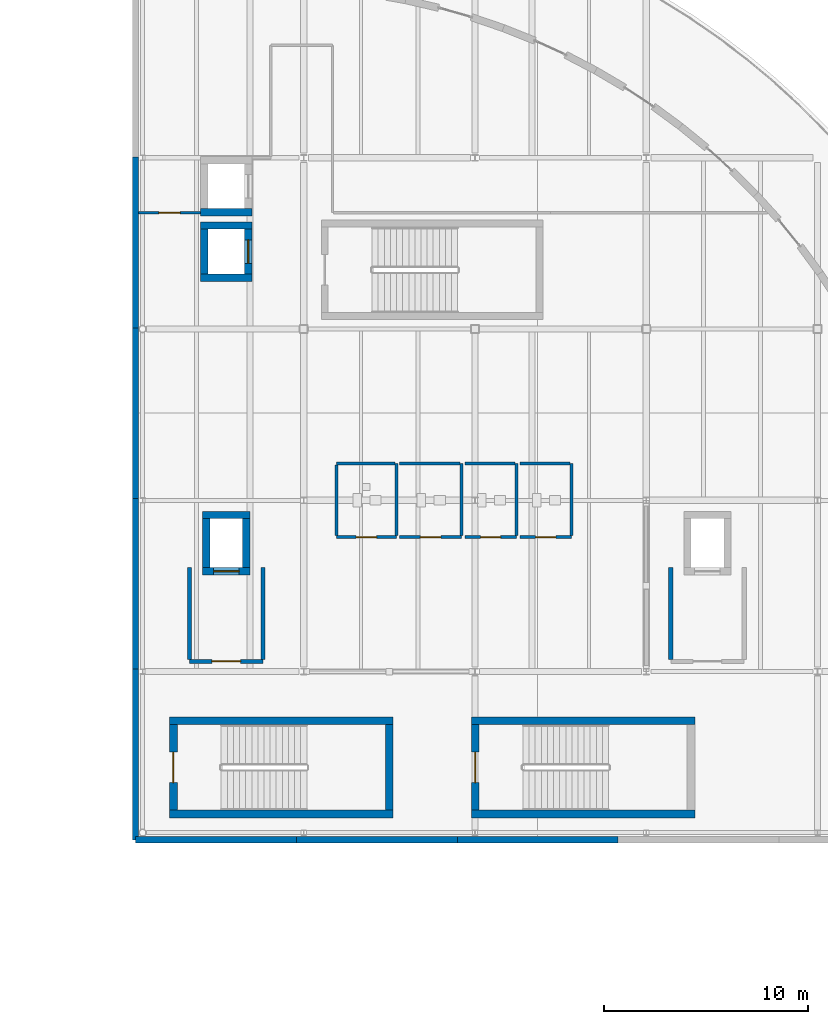
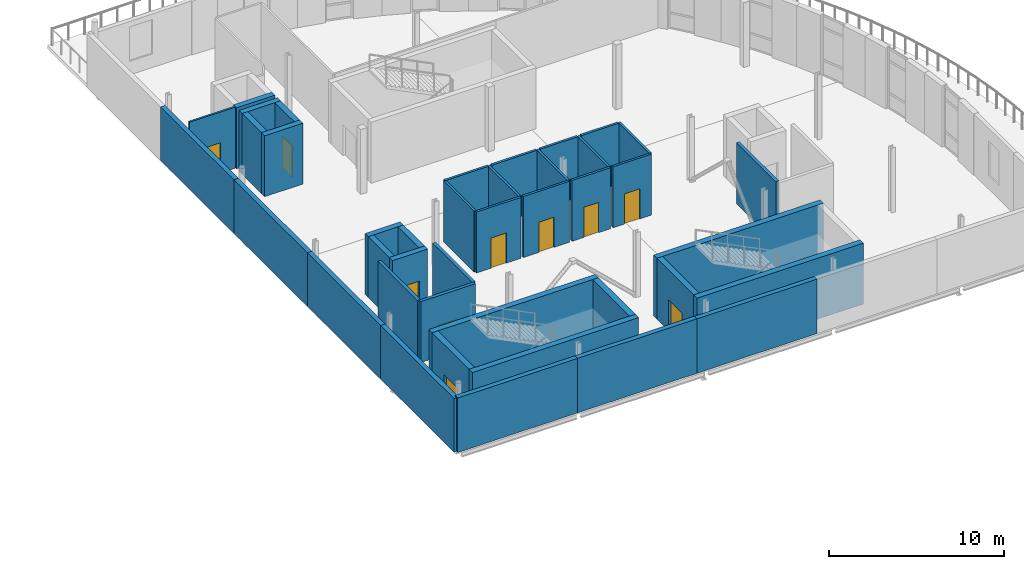
# One storey, part 22 of 40: 41 walls, 10 doors, 10 openings.
"""IFC4 building model written with IfcOpenShell, lengths in metres."""

from ifc_helpers import new_model, si_unit, direction, frame, frame_2d, origin, place, context, subcontext, project, spatial, rectangle, extrude, material, layer, layer_set, type_object, element, fill, save


model = new_model("IFC4")

# Units and contexts
model_context = context("Model", 3, precision=1e-05, world=origin(), true_north=direction((0.0, 1.0)))
body_context = subcontext(model_context, "Body", "Model", "MODEL_VIEW")
ifc_project = project(units=[si_unit("LENGTHUNIT", "METRE"), si_unit("AREAUNIT", "SQUARE_METRE"), si_unit("VOLUMEUNIT", "CUBIC_METRE"), si_unit("PLANEANGLEUNIT", "RADIAN"), si_unit("MASSUNIT", "GRAM", prefix="KILO"), si_unit("THERMODYNAMICTEMPERATUREUNIT", "KELVIN")], contexts=[model_context])

# Site, building, storey
site_placement = place(None, origin())
site = spatial("IfcSite", under=ifc_project, at=site_placement, CompositionType="ELEMENT")
building_placement = place(site_placement, origin())
building = spatial("IfcBuilding", under=site, at=building_placement, Name="Lustrewick Department Store", CompositionType="ELEMENT")
storey_placement = place(building_placement, frame((0.0, 0.0, 31.800048828125)))
storey = spatial("IfcBuildingStorey", under=building, at=storey_placement, Name="L07", CompositionType="ELEMENT", Elevation=31.800048828125)

# Walls
ifc_material_1 = material(Name="Precast concrete C40", Category="concrete")
ifc_layer_1 = layer(ifc_material_1, 0.300048828125, Name="Precast concrete C40")
ifc_layer_set_1 = layer_set([ifc_layer_1], Name="Precast concrete C40")
wall_type_1 = type_object("IfcWallType", Name="EW04", PredefinedType="STANDARD", material=ifc_layer_set_1)
for number, where, z_axis, x_axis, name in (
    (1, (109.35009765625, 50.550048828125, 0.0), (0.0, 0.0, 1.0), (1.0, 0.0, 0.0), "L07 V4 Exterior Wall EW04"),
    (2, (117.239990234375, 50.550048828125, 0.0), (0.0, 0.0, 1.0), (1.0, 0.0, 0.0), "L07 V4 Exterior Wall EW04"),
):
    element("IfcWall", number, at=place(storey_placement, frame(where, z_axis=z_axis, x_axis=x_axis)), inside=storey, type_object=wall_type_1, Name=name, PredefinedType="STANDARD", context=body_context, shape_type="SweptSolid", body=[
        extrude(rectangle(XDim=7.889892578125, YDim=0.300048828125, at=frame_2d((3.94482421875, 0.0))), origin(), (0.0, 0.0, 1.0), 3.796875),
    ])
wall_1_placement = place(storey_placement, frame((125.1298828125, 50.550048828125, 0.0), z_axis=(0.0, 0.0, 1.0), x_axis=(1.0, 0.0, 0.0)))
element("IfcWall", 3, at=wall_1_placement, inside=storey, type_object=wall_type_1, Name="L07 V4 Exterior Wall EW04", PredefinedType="STANDARD", context=body_context, shape_type="SweptSolid", body=[
    extrude(rectangle(XDim=7.89013671875, YDim=0.300048828125, at=frame_2d((3.945068359375, 0.0))), origin(), (0.0, 0.0, 1.0), 3.796875),
])
wall_2_placement = place(storey_placement, frame((109.35009765625, 84.030029296875, 0.0), z_axis=(0.0, 0.0, 1.0), x_axis=(0.0, -1.0, 0.0)))
element("IfcWall", 4, at=wall_2_placement, inside=storey, type_object=wall_type_1, Name="L07 V4 Exterior Wall EW04", PredefinedType="STANDARD", context=body_context, shape_type="SweptSolid", body=[
    extrude(rectangle(XDim=8.3701171875, YDim=0.300048828125, at=frame_2d((4.18505859375, 0.0))), origin(), (0.0, 0.0, 1.0), 3.73095703125),
])
wall_3_placement = place(storey_placement, frame((109.35009765625, 75.659912109375, 0.0), z_axis=(0.0, 0.0, 1.0), x_axis=(0.0, -1.0, 0.0)))
element("IfcWall", 5, at=wall_3_placement, inside=storey, type_object=wall_type_1, Name="L07 V4 Exterior Wall EW04", PredefinedType="STANDARD", context=body_context, shape_type="SweptSolid", body=[
    extrude(rectangle(XDim=8.369873046875, YDim=0.300048828125, at=frame_2d((4.18505859375, 0.0))), origin(), (0.0, 0.0, 1.0), 3.73095703125),
])
wall_4_placement = place(storey_placement, frame((109.35009765625, 67.2900390625, 0.0), z_axis=(0.0, 0.0, 1.0), x_axis=(0.0, -1.0, 0.0)))
element("IfcWall", 6, at=wall_4_placement, inside=storey, type_object=wall_type_1, Name="L07 V4 Exterior Wall EW04", PredefinedType="STANDARD", context=body_context, shape_type="SweptSolid", body=[
    extrude(rectangle(XDim=8.3701171875, YDim=0.300048828125, at=frame_2d((4.18505859375, 0.0))), origin(), (0.0, 0.0, 1.0), 3.73095703125),
])
wall_5_placement = place(storey_placement, frame((109.35009765625, 58.919921875, 0.0), z_axis=(0.0, 0.0, 1.0), x_axis=(0.0, -1.0, 0.0)))
element("IfcWall", 7, at=wall_5_placement, inside=storey, type_object=wall_type_1, Name="L07 V4 Exterior Wall EW04", PredefinedType="STANDARD", context=body_context, shape_type="SweptSolid", body=[
    extrude(rectangle(XDim=8.369873046875, YDim=0.300048828125, at=frame_2d((4.18505859375, 0.0))), origin(), (0.0, 0.0, 1.0), 3.73095703125),
])
ifc_material_2 = material(Name="Autoclaved aerated concrete blockwork and fire board", Category="masonry")
ifc_layer_2 = layer(ifc_material_2, 0.205078125, Name="Autoclaved aerated concrete blockwork and fire board")
ifc_layer_set_2 = layer_set([ifc_layer_2], Name="Autoclaved aerated concrete blockwork and fire board")
wall_type_2 = type_object("IfcWallType", Name="PW02", PredefinedType="PARTITIONING", material=ifc_layer_set_2)
wall_6_placement = place(storey_placement, frame((135.60009765625, 63.89990234375, 0.0), z_axis=(0.0, 0.0, 1.0), x_axis=(0.0, -1.0, 0.0)))
element("IfcWall", 8, at=wall_6_placement, inside=storey, type_object=wall_type_2, Name="L07 Firefighting Lift Lobby FFL-03 PW02", PredefinedType="PARTITIONING", context=body_context, shape_type="SweptSolid", body=[
    extrude(rectangle(XDim=4.50244140625, YDim=0.205078125, at=frame_2d((2.251220703125, 0.0))), origin(), (0.0, 0.0, 1.0), 4.244873046875),
])

# Wall, opening, door
wall_7_placement = place(storey_placement, frame((112.0, 59.300048828125, 0.0), z_axis=(0.0, 0.0, 1.0), x_axis=(1.0, 0.0, 0.0)))
wall_7 = element("IfcWall", 9, at=wall_7_placement, inside=storey, type_object=wall_type_2, Name="L07 Firefighting Lift Lobby FFL-04 PW02", PredefinedType="PARTITIONING", context=body_context, shape_type="SweptSolid", body=[
    extrude(rectangle(XDim=3.60009765625, YDim=0.205078125, at=frame_2d((1.800048828125, 0.0))), origin(), (0.0, 0.0, 1.0), 4.244873046875),
])
opening_1_placement = place(wall_7_placement, frame((1.10009765625, 0.0, 0.0)))
opening_1 = element("IfcOpeningElement", 10, at=opening_1_placement, cuts=wall_7, Name="Opening D-L07-042", PredefinedType="OPENING", context=body_context, shape_type="SweptSolid", body=[
    extrude(rectangle(XDim=1.39990234375, YDim=2.14990234375, at=frame_2d((0.699951171875, 1.074951171875))), frame((0.0, 0.112548828125, 0.0), z_axis=(0.0, -1.0, 0.0), x_axis=(1.0, 0.0, 0.0)), (0.0, 0.0, 1.0), 0.22509765625),
])
ifc_material_3 = material(Name="Steel fire door Class B EI 60", Category="steel")
door_type_1 = type_object("IfcDoorType", Name="DT-08", OperationType="NOTDEFINED", PredefinedType="DOOR", material=ifc_material_3)
door_1_placement = place(opening_1_placement, origin())
door_1 = element("IfcDoor", 11, at=door_1_placement, inside=storey, type_object=door_type_1, Name="L07 Firefighting Lift Lobby FFL-04 Door D-L07-042", OperationType="SINGLE_SWING_LEFT", OverallHeight=2.14990234375, OverallWidth=1.39990234375, PredefinedType="DOOR", context=body_context, shape_type="SweptSolid", body=[
    extrude(rectangle(XDim=1.39990234375, YDim=2.14990234375, at=frame_2d((0.699951171875, 1.074951171875))), frame((0.0, 0.02490234375, 0.0), z_axis=(0.0, -1.0, 0.0), x_axis=(1.0, 0.0, 0.0)), (0.0, 0.0, 1.0), 0.050048828125),
])
fill(opening_1, door_1)

# Walls
for number, where, z_axis, x_axis, name in (
    (12, (115.60009765625, 59.3974609375, 0.0), (0.0, 0.0, 1.0), (0.0, 1.0, 0.0), "L07 Firefighting Lift Lobby FFL-04 PW02"),
    (13, (112.0, 63.89990234375, 0.0), (0.0, 0.0, 1.0), (0.0, -1.0, 0.0), "L07 Firefighting Lift Lobby FFL-04 PW02"),
):
    element("IfcWall", number, at=place(storey_placement, frame(where, z_axis=z_axis, x_axis=x_axis)), inside=storey, type_object=wall_type_2, Name=name, PredefinedType="PARTITIONING", context=body_context, shape_type="SweptSolid", body=[
        extrude(rectangle(XDim=4.50244140625, YDim=0.205078125, at=frame_2d((2.251220703125, 0.0))), origin(), (0.0, 0.0, 1.0), 4.244873046875),
    ])

# Wall, opening, door
ifc_material_4 = material(Name="Moisture-resistant cement board sanitary partition", Category="gypsum")
ifc_layer_3 = layer(ifc_material_4, 0.14990234375, Name="Moisture-resistant cement board sanitary partition")
ifc_layer_set_3 = layer_set([ifc_layer_3], Name="Moisture-resistant cement board sanitary partition")
wall_type_3 = type_object("IfcWallType", Name="PW05", PredefinedType="PARTITIONING", material=ifc_layer_set_3)
wall_8_placement = place(storey_placement, frame((119.199951171875, 65.39990234375, 0.0), z_axis=(0.0, 0.0, 1.0), x_axis=(1.0, 0.0, 0.0)))
wall_8 = element("IfcWall", 14, at=wall_8_placement, inside=storey, type_object=wall_type_3, Name="L07 Male Public WC PW05", PredefinedType="PARTITIONING", context=body_context, shape_type="SweptSolid", body=[
    extrude(rectangle(XDim=2.93994140625, YDim=0.14990234375, at=frame_2d((1.469970703125, 0.0))), origin(), (0.0, 0.0, 1.0), 4.244873046875),
])
opening_2_placement = place(wall_8_placement, frame((0.969970703125, 0.0, 0.0)))
opening_2 = element("IfcOpeningElement", 15, at=opening_2_placement, cuts=wall_8, Name="Opening D-L07-043", PredefinedType="OPENING", context=body_context, shape_type="SweptSolid", body=[
    extrude(rectangle(XDim=1.0, YDim=2.10009765625, at=frame_2d((0.5, 1.050048828125))), frame((0.0, 0.0849609375, 0.0), z_axis=(0.0, -1.0, 0.0), x_axis=(1.0, 0.0, 0.0)), (0.0, 0.0, 1.0), 0.169921875),
])
ifc_material_5 = material(Name="Moisture-resistant laminate sanitary door", Category="steel")
door_type_2 = type_object("IfcDoorType", Name="DT-11", OperationType="NOTDEFINED", PredefinedType="DOOR", material=ifc_material_5)
door_2_placement = place(opening_2_placement, origin())
door_2 = element("IfcDoor", 16, at=door_2_placement, inside=storey, type_object=door_type_2, Name="L07 Male Public WC Door D-L07-043", OperationType="SINGLE_SWING_RIGHT", OverallHeight=2.10009765625, OverallWidth=1.0, PredefinedType="DOOR", context=body_context, shape_type="SweptSolid", body=[
    extrude(rectangle(XDim=1.0, YDim=2.10009765625, at=frame_2d((0.5, 1.050048828125))), frame((0.0, 0.02490234375, 0.0), z_axis=(0.0, -1.0, 0.0), x_axis=(1.0, 0.0, 0.0)), (0.0, 0.0, 1.0), 0.050048828125),
])
fill(opening_2, door_2)

# Walls
wall_9_placement = place(storey_placement, frame((122.139892578125, 65.469970703125, 0.0), z_axis=(0.0, 0.0, 1.0), x_axis=(0.0, 1.0, 0.0)))
element("IfcWall", 17, at=wall_9_placement, inside=storey, type_object=wall_type_3, Name="L07 Male Public WC PW05", PredefinedType="PARTITIONING", context=body_context, shape_type="SweptSolid", body=[
    extrude(rectangle(XDim=3.530029296875, YDim=0.14990234375, at=frame_2d((1.76513671875, 0.0))), origin(), (0.0, 0.0, 1.0), 4.244873046875),
])
wall_10_placement = place(storey_placement, frame((122.070068359375, 69.0, 0.0), z_axis=(0.0, 0.0, 1.0), x_axis=(-1.0, 0.0, 0.0)))
element("IfcWall", 18, at=wall_10_placement, inside=storey, type_object=wall_type_3, Name="L07 Male Public WC PW05", PredefinedType="PARTITIONING", context=body_context, shape_type="SweptSolid", body=[
    extrude(rectangle(XDim=2.8701171875, YDim=0.14990234375, at=frame_2d((1.43505859375, 0.0))), origin(), (0.0, 0.0, 1.0), 4.244873046875),
])
wall_11_placement = place(storey_placement, frame((119.199951171875, 68.929931640625, 0.0), z_axis=(0.0, 0.0, 1.0), x_axis=(0.0, -1.0, 0.0)))
element("IfcWall", 19, at=wall_11_placement, inside=storey, type_object=wall_type_3, Name="L07 Male Public WC PW05", PredefinedType="PARTITIONING", context=body_context, shape_type="SweptSolid", body=[
    extrude(rectangle(XDim=3.4599609375, YDim=0.14990234375, at=frame_2d((1.72998046875, 0.0))), origin(), (0.0, 0.0, 1.0), 4.244873046875),
])

# Wall, opening, door
wall_12_placement = place(storey_placement, frame((122.300048828125, 65.39990234375, 0.0), z_axis=(0.0, 0.0, 1.0), x_axis=(1.0, 0.0, 0.0)))
wall_12 = element("IfcWall", 20, at=wall_12_placement, inside=storey, type_object=wall_type_3, Name="L07 Female Public WC PW05", PredefinedType="PARTITIONING", context=body_context, shape_type="SweptSolid", body=[
    extrude(rectangle(XDim=3.0400390625, YDim=0.14990234375, at=frame_2d((1.52001953125, 0.0))), origin(), (0.0, 0.0, 1.0), 4.244873046875),
])
opening_3_placement = place(wall_12_placement, frame((1.02001953125, 0.0, 0.0)))
opening_3 = element("IfcOpeningElement", 21, at=opening_3_placement, cuts=wall_12, Name="Opening D-L07-044", PredefinedType="OPENING", context=body_context, shape_type="SweptSolid", body=[
    extrude(rectangle(XDim=1.0, YDim=2.10009765625, at=frame_2d((0.5, 1.050048828125))), frame((0.0, 0.0849609375, 0.0), z_axis=(0.0, -1.0, 0.0), x_axis=(1.0, 0.0, 0.0)), (0.0, 0.0, 1.0), 0.169921875),
])
door_3_placement = place(opening_3_placement, origin())
door_3 = element("IfcDoor", 22, at=door_3_placement, inside=storey, type_object=door_type_2, Name="L07 Female Public WC Door D-L07-044", OperationType="SINGLE_SWING_LEFT", OverallHeight=2.10009765625, OverallWidth=1.0, PredefinedType="DOOR", context=body_context, shape_type="SweptSolid", body=[
    extrude(rectangle(XDim=1.0, YDim=2.10009765625, at=frame_2d((0.5, 1.050048828125))), frame((0.0, 0.02490234375, 0.0), z_axis=(0.0, -1.0, 0.0), x_axis=(1.0, 0.0, 0.0)), (0.0, 0.0, 1.0), 0.050048828125),
])
fill(opening_3, door_3)

# Walls
wall_13_placement = place(storey_placement, frame((125.340087890625, 65.469970703125, 0.0), z_axis=(0.0, 0.0, 1.0), x_axis=(0.0, 1.0, 0.0)))
element("IfcWall", 23, at=wall_13_placement, inside=storey, type_object=wall_type_3, Name="L07 Female Public WC PW05", PredefinedType="PARTITIONING", context=body_context, shape_type="SweptSolid", body=[
    extrude(rectangle(XDim=3.530029296875, YDim=0.14990234375, at=frame_2d((1.76513671875, 0.0))), origin(), (0.0, 0.0, 1.0), 4.244873046875),
])
wall_14_placement = place(storey_placement, frame((125.27001953125, 69.0, 0.0), z_axis=(0.0, 0.0, 1.0), x_axis=(-1.0, 0.0, 0.0)))
element("IfcWall", 24, at=wall_14_placement, inside=storey, type_object=wall_type_3, Name="L07 Female Public WC PW05", PredefinedType="PARTITIONING", context=body_context, shape_type="SweptSolid", body=[
    extrude(rectangle(XDim=2.969970703125, YDim=0.14990234375, at=frame_2d((1.48486328125, 0.0))), origin(), (0.0, 0.0, 1.0), 4.244873046875),
])

# Wall, opening, door
wall_15_placement = place(storey_placement, frame((125.5, 65.39990234375, 0.0), z_axis=(0.0, 0.0, 1.0), x_axis=(1.0, 0.0, 0.0)))
wall_15 = element("IfcWall", 25, at=wall_15_placement, inside=storey, type_object=wall_type_3, Name="L07 Accessible WC PW05", PredefinedType="PARTITIONING", context=body_context, shape_type="SweptSolid", body=[
    extrude(rectangle(XDim=2.5400390625, YDim=0.14990234375, at=frame_2d((1.27001953125, 0.0))), origin(), (0.0, 0.0, 1.0), 4.244873046875),
])
opening_4_placement = place(wall_15_placement, frame((0.780029296875, 0.0, 0.0)))
opening_4 = element("IfcOpeningElement", 26, at=opening_4_placement, cuts=wall_15, Name="Opening D-L07-045", PredefinedType="OPENING", context=body_context, shape_type="SweptSolid", body=[
    extrude(rectangle(XDim=0.97998046875, YDim=2.10009765625, at=frame_2d((0.489990234375, 1.050048828125))), frame((0.0, 0.0849609375, 0.0), z_axis=(0.0, -1.0, 0.0), x_axis=(1.0, 0.0, 0.0)), (0.0, 0.0, 1.0), 0.169921875),
])
ifc_material_6 = material(Name="Barrier-free accessible sanitary door", Category="steel")
door_type_3 = type_object("IfcDoorType", Name="DT-12", OperationType="NOTDEFINED", PredefinedType="DOOR", material=ifc_material_6)
door_4_placement = place(opening_4_placement, origin())
door_4 = element("IfcDoor", 27, at=door_4_placement, inside=storey, type_object=door_type_3, Name="L07 Accessible WC Door D-L07-045", OperationType="SINGLE_SWING_RIGHT", OverallHeight=2.10009765625, OverallWidth=0.97998046875, PredefinedType="DOOR", context=body_context, shape_type="SweptSolid", body=[
    extrude(rectangle(XDim=0.97998046875, YDim=2.10009765625, at=frame_2d((0.489990234375, 1.050048828125))), frame((0.0, 0.02490234375, 0.0), z_axis=(0.0, -1.0, 0.0), x_axis=(1.0, 0.0, 0.0)), (0.0, 0.0, 1.0), 0.050048828125),
])
fill(opening_4, door_4)

# Walls
wall_16_placement = place(storey_placement, frame((128.0400390625, 65.469970703125, 0.0), z_axis=(0.0, 0.0, 1.0), x_axis=(0.0, 1.0, 0.0)))
element("IfcWall", 28, at=wall_16_placement, inside=storey, type_object=wall_type_3, Name="L07 Accessible WC PW05", PredefinedType="PARTITIONING", context=body_context, shape_type="SweptSolid", body=[
    extrude(rectangle(XDim=3.530029296875, YDim=0.14990234375, at=frame_2d((1.76513671875, 0.0))), origin(), (0.0, 0.0, 1.0), 4.244873046875),
])
wall_17_placement = place(storey_placement, frame((127.969970703125, 69.0, 0.0), z_axis=(0.0, 0.0, 1.0), x_axis=(-1.0, 0.0, 0.0)))
element("IfcWall", 29, at=wall_17_placement, inside=storey, type_object=wall_type_3, Name="L07 Accessible WC PW05", PredefinedType="PARTITIONING", context=body_context, shape_type="SweptSolid", body=[
    extrude(rectangle(XDim=2.469970703125, YDim=0.14990234375, at=frame_2d((1.23486328125, 0.0))), origin(), (0.0, 0.0, 1.0), 4.244873046875),
])

# Wall, opening, door
wall_18_placement = place(storey_placement, frame((128.199951171875, 65.39990234375, 0.0), z_axis=(0.0, 0.0, 1.0), x_axis=(1.0, 0.0, 0.0)))
wall_18 = element("IfcWall", 30, at=wall_18_placement, inside=storey, type_object=wall_type_3, Name="L07 Staff WC PW05", PredefinedType="PARTITIONING", context=body_context, shape_type="SweptSolid", body=[
    extrude(rectangle(XDim=2.5400390625, YDim=0.14990234375, at=frame_2d((1.27001953125, 0.0))), origin(), (0.0, 0.0, 1.0), 4.244873046875),
])
opening_5_placement = place(wall_18_placement, frame((0.77001953125, 0.0, 0.0)))
opening_5 = element("IfcOpeningElement", 31, at=opening_5_placement, cuts=wall_18, Name="Opening D-L07-046", PredefinedType="OPENING", context=body_context, shape_type="SweptSolid", body=[
    extrude(rectangle(XDim=1.0, YDim=2.10009765625, at=frame_2d((0.5, 1.050048828125))), frame((0.0, 0.0849609375, 0.0), z_axis=(0.0, -1.0, 0.0), x_axis=(1.0, 0.0, 0.0)), (0.0, 0.0, 1.0), 0.169921875),
])
door_5_placement = place(opening_5_placement, origin())
door_5 = element("IfcDoor", 32, at=door_5_placement, inside=storey, type_object=door_type_2, Name="L07 Staff WC Door D-L07-046", OperationType="SINGLE_SWING_LEFT", OverallHeight=2.10009765625, OverallWidth=1.0, PredefinedType="DOOR", context=body_context, shape_type="SweptSolid", body=[
    extrude(rectangle(XDim=1.0, YDim=2.10009765625, at=frame_2d((0.5, 1.050048828125))), frame((0.0, 0.02490234375, 0.0), z_axis=(0.0, -1.0, 0.0), x_axis=(1.0, 0.0, 0.0)), (0.0, 0.0, 1.0), 0.050048828125),
])
fill(opening_5, door_5)

# Walls
wall_19_placement = place(storey_placement, frame((130.739990234375, 65.469970703125, 0.0), z_axis=(0.0, 0.0, 1.0), x_axis=(0.0, 1.0, 0.0)))
element("IfcWall", 33, at=wall_19_placement, inside=storey, type_object=wall_type_3, Name="L07 Staff WC PW05", PredefinedType="PARTITIONING", context=body_context, shape_type="SweptSolid", body=[
    extrude(rectangle(XDim=3.530029296875, YDim=0.14990234375, at=frame_2d((1.76513671875, 0.0))), origin(), (0.0, 0.0, 1.0), 4.244873046875),
])
wall_20_placement = place(storey_placement, frame((130.669921875, 69.0, 0.0), z_axis=(0.0, 0.0, 1.0), x_axis=(-1.0, 0.0, 0.0)))
element("IfcWall", 34, at=wall_20_placement, inside=storey, type_object=wall_type_3, Name="L07 Staff WC PW05", PredefinedType="PARTITIONING", context=body_context, shape_type="SweptSolid", body=[
    extrude(rectangle(XDim=2.469970703125, YDim=0.14990234375, at=frame_2d((1.23486328125, 0.0))), origin(), (0.0, 0.0, 1.0), 4.244873046875),
])

# Wall, opening, door
ifc_material_7 = material(Name="Acoustic gypsum stud office partition", Category="gypsum")
ifc_layer_4 = layer(ifc_material_7, 0.1201171875, Name="Acoustic gypsum stud office partition")
ifc_layer_set_4 = layer_set([ifc_layer_4], Name="Acoustic gypsum stud office partition")
wall_type_4 = type_object("IfcWallType", Name="PW07", PredefinedType="PARTITIONING", material=ifc_layer_set_4)
wall_21_placement = place(storey_placement, frame((109.4951171875, 81.305419921875, 0.0), z_axis=(0.0, 0.0, 1.0), x_axis=(1.0, 0.0, 0.0)))
wall_21 = element("IfcWall", 35, at=wall_21_placement, inside=storey, type_object=wall_type_4, Name="L07 Store Administration Office PW07", PredefinedType="PARTITIONING", context=body_context, shape_type="SweptSolid", body=[
    extrude(rectangle(XDim=3.044921875, YDim=0.1201171875, at=frame_2d((1.5224609375, 0.0))), origin(), (0.0, 0.0, 1.0), 4.244873046875),
])
opening_6_placement = place(wall_21_placement, frame((0.99755859375, 0.0, 0.0)))
opening_6 = element("IfcOpeningElement", 36, at=opening_6_placement, cuts=wall_21, Name="Opening D-L07-047", PredefinedType="OPENING", context=body_context, shape_type="SweptSolid", body=[
    extrude(rectangle(XDim=1.050048828125, YDim=2.10009765625, at=frame_2d((0.52490234375, 1.050048828125))), frame((0.0, 0.070068359375, 0.0), z_axis=(0.0, -1.0, 0.0), x_axis=(1.0, 0.0, 0.0)), (0.0, 0.0, 1.0), 0.14013671875),
])
ifc_material_8 = material(Name="Acoustic oak veneer office door", Category="wood")
door_type_4 = type_object("IfcDoorType", Name="DT-10", OperationType="NOTDEFINED", PredefinedType="DOOR", material=ifc_material_8)
door_6_placement = place(opening_6_placement, origin())
door_6 = element("IfcDoor", 37, at=door_6_placement, inside=storey, type_object=door_type_4, Name="L07 Store Administration Office Door D-L07-047", OperationType="SINGLE_SWING_RIGHT", OverallHeight=2.10009765625, OverallWidth=1.050048828125, PredefinedType="DOOR", context=body_context, shape_type="SweptSolid", body=[
    extrude(rectangle(XDim=1.050048828125, YDim=2.10009765625, at=frame_2d((0.52490234375, 1.050048828125))), frame((0.0, 0.02490234375, 0.0), z_axis=(0.0, -1.0, 0.0), x_axis=(1.0, 0.0, 0.0)), (0.0, 0.0, 1.0), 0.050048828125),
])
fill(opening_6, door_6)

# Walls
ifc_material_9 = material(Name="Concrete C40", Category="concrete")
ifc_layer_5 = layer(ifc_material_9, 0.3798828125, Name="Concrete C40")
ifc_layer_set_5 = layer_set([ifc_layer_5], Name="Concrete C40")
wall_type_5 = type_object("IfcWallType", Name="SW03", PredefinedType="SHEAR", material=ifc_layer_set_5)
wall_22_placement = place(storey_placement, frame((111.02001953125, 51.81005859375, 0.0), z_axis=(0.0, 0.0, 1.0), x_axis=(1.0, 0.0, 0.0)))
element("IfcWall", 38, at=wall_22_placement, inside=storey, type_object=wall_type_5, Name="L07 Stair Core ST09 Shear Wall S", PredefinedType="SHEAR", context=body_context, shape_type="SweptSolid", body=[
    extrude(rectangle(XDim=10.9599609375, YDim=0.3798828125, at=frame_2d((5.47998046875, 0.0))), origin(), (0.0, 0.0, 1.0), 4.244873046875),
])
wall_23_placement = place(storey_placement, frame((121.7900390625, 52.0, 0.0), z_axis=(0.0, 0.0, 1.0), x_axis=(0.0, 1.0, 0.0)))
element("IfcWall", 39, at=wall_23_placement, inside=storey, type_object=wall_type_5, Name="L07 Stair Core ST09 Shear Wall E", PredefinedType="SHEAR", context=body_context, shape_type="SweptSolid", body=[
    extrude(rectangle(XDim=4.199951171875, YDim=0.3798828125, at=frame_2d((2.10009765625, 0.0))), origin(), (0.0, 0.0, 1.0), 4.244873046875),
])
wall_24_placement = place(storey_placement, frame((121.97998046875, 56.389892578125, 0.0), z_axis=(0.0, 0.0, 1.0), x_axis=(-1.0, 0.0, 0.0)))
element("IfcWall", 40, at=wall_24_placement, inside=storey, type_object=wall_type_5, Name="L07 Stair Core ST09 Shear Wall N", PredefinedType="SHEAR", context=body_context, shape_type="SweptSolid", body=[
    extrude(rectangle(XDim=10.9599609375, YDim=0.3798828125, at=frame_2d((5.47998046875, 0.0))), origin(), (0.0, 0.0, 1.0), 4.244873046875),
])

# Wall, opening, door
wall_25_placement = place(storey_placement, frame((111.2099609375, 56.199951171875, 0.0), z_axis=(0.0, 0.0, 1.0), x_axis=(0.0, -1.0, 0.0)))
wall_25 = element("IfcWall", 41, at=wall_25_placement, inside=storey, type_object=wall_type_5, Name="L07 Stair Core ST09 Shear Wall W", PredefinedType="SHEAR", context=body_context, shape_type="SweptSolid", body=[
    extrude(rectangle(XDim=4.199951171875, YDim=0.3798828125, at=frame_2d((2.10009765625, 0.0))), origin(), (0.0, 0.0, 1.0), 4.244873046875),
])
opening_7_placement = place(wall_25_placement, frame((1.35009765625, 0.0, 0.0)))
opening_7 = element("IfcOpeningElement", 42, at=opening_7_placement, cuts=wall_25, Name="Opening D-L07-003", PredefinedType="OPENING", context=body_context, shape_type="SweptSolid", body=[
    extrude(rectangle(XDim=1.5, YDim=2.14990234375, at=frame_2d((0.75, 1.074951171875))), frame((0.0, 0.199951171875, 0.0), z_axis=(0.0, -1.0, 0.0), x_axis=(1.0, 0.0, 0.0)), (0.0, 0.0, 1.0), 0.39990234375),
])
door_type_5 = type_object("IfcDoorType", Name="DT-07", OperationType="NOTDEFINED", PredefinedType="DOOR", material=ifc_material_3)
door_7_placement = place(opening_7_placement, origin())
door_7 = element("IfcDoor", 43, at=door_7_placement, inside=storey, type_object=door_type_5, Name="L07 Smoke-Proof Stair ST09 Fire Door", OperationType="SINGLE_SWING_LEFT", OverallHeight=2.14990234375, OverallWidth=1.5, PredefinedType="DOOR", context=body_context, shape_type="SweptSolid", body=[
    extrude(rectangle(XDim=1.5, YDim=2.14990234375, at=frame_2d((0.75, 1.074951171875))), frame((0.0, 0.02490234375, 0.0), z_axis=(0.0, -1.0, 0.0), x_axis=(1.0, 0.0, 0.0)), (0.0, 0.0, 1.0), 0.050048828125),
])
fill(opening_7, door_7)

# Walls
for number, where, z_axis, x_axis, name in (
    (44, (125.820068359375, 51.81005859375, 0.0), (0.0, 0.0, 1.0), (1.0, 0.0, 0.0), "L07 Stair Core ST11 Shear Wall S"),
    (45, (136.780029296875, 56.389892578125, 0.0), (0.0, 0.0, 1.0), (-1.0, 0.0, 0.0), "L07 Stair Core ST11 Shear Wall N"),
):
    element("IfcWall", number, at=place(storey_placement, frame(where, z_axis=z_axis, x_axis=x_axis)), inside=storey, type_object=wall_type_5, Name=name, PredefinedType="SHEAR", context=body_context, shape_type="SweptSolid", body=[
        extrude(rectangle(XDim=10.9599609375, YDim=0.3798828125, at=frame_2d((5.47998046875, 0.0))), origin(), (0.0, 0.0, 1.0), 4.244873046875),
    ])

# Wall, opening, door
wall_26_placement = place(storey_placement, frame((126.010009765625, 56.199951171875, 0.0), z_axis=(0.0, 0.0, 1.0), x_axis=(0.0, -1.0, 0.0)))
wall_26 = element("IfcWall", 46, at=wall_26_placement, inside=storey, type_object=wall_type_5, Name="L07 Stair Core ST11 Shear Wall W", PredefinedType="SHEAR", context=body_context, shape_type="SweptSolid", body=[
    extrude(rectangle(XDim=4.199951171875, YDim=0.3798828125, at=frame_2d((2.10009765625, 0.0))), origin(), (0.0, 0.0, 1.0), 4.244873046875),
])
opening_8_placement = place(wall_26_placement, frame((1.35009765625, 0.0, 0.0)))
opening_8 = element("IfcOpeningElement", 47, at=opening_8_placement, cuts=wall_26, Name="Opening D-L07-005", PredefinedType="OPENING", context=body_context, shape_type="SweptSolid", body=[
    extrude(rectangle(XDim=1.5, YDim=2.14990234375, at=frame_2d((0.75, 1.074951171875))), frame((0.0, 0.199951171875, 0.0), z_axis=(0.0, -1.0, 0.0), x_axis=(1.0, 0.0, 0.0)), (0.0, 0.0, 1.0), 0.39990234375),
])
door_8_placement = place(opening_8_placement, origin())
door_8 = element("IfcDoor", 48, at=door_8_placement, inside=storey, type_object=door_type_5, Name="L07 Smoke-Proof Stair ST11 Fire Door", OperationType="SINGLE_SWING_LEFT", OverallHeight=2.14990234375, OverallWidth=1.5, PredefinedType="DOOR", context=body_context, shape_type="SweptSolid", body=[
    extrude(rectangle(XDim=1.5, YDim=2.14990234375, at=frame_2d((0.75, 1.074951171875))), frame((0.0, 0.02490234375, 0.0), z_axis=(0.0, -1.0, 0.0), x_axis=(1.0, 0.0, 0.0)), (0.0, 0.0, 1.0), 0.050048828125),
])
fill(opening_8, door_8)

ifc_layer_6 = layer(ifc_material_9, 0.360107421875, Name="Concrete C40")
ifc_layer_set_6 = layer_set([ifc_layer_6], Name="Concrete C40")
wall_type_6 = type_object("IfcWallType", Name="SW04", PredefinedType="SHEAR", material=ifc_layer_set_6)
wall_27_placement = place(storey_placement, frame((112.639892578125, 63.719970703125, 0.0), z_axis=(0.0, 0.0, 1.0), x_axis=(1.0, 0.0, 0.0)))
wall_27 = element("IfcWall", 49, at=wall_27_placement, inside=storey, type_object=wall_type_6, Name="L07 Lift FFL-04 Shaft Wall -Y", PredefinedType="SHEAR", context=body_context, shape_type="SweptSolid", body=[
    extrude(rectangle(XDim=2.320068359375, YDim=0.360107421875, at=frame_2d((1.16015625, 0.0))), origin(), (0.0, 0.0, 1.0), 4.244873046875),
])
opening_9_placement = place(wall_27_placement, frame((0.534912109375, 0.0, 0.0)))
opening_9 = element("IfcOpeningElement", 50, at=opening_9_placement, cuts=wall_27, Name="Opening LD-L07-02", PredefinedType="OPENING", context=body_context, shape_type="SweptSolid", body=[
    extrude(rectangle(XDim=1.25, YDim=2.199951171875, at=frame_2d((0.625, 1.10009765625))), frame((0.0, 0.18994140625, 0.0), z_axis=(0.0, -1.0, 0.0), x_axis=(1.0, 0.0, 0.0)), (0.0, 0.0, 1.0), 0.380126953125),
])
ifc_material_10 = material(Name="Stainless steel firefighting lift landing door EI 90", Category="steel")
door_type_6 = type_object("IfcDoorType", Name="DT-15", OperationType="NOTDEFINED", PredefinedType="DOOR", material=ifc_material_10)
door_9_placement = place(opening_9_placement, frame((1.25, 0.0, 0.0), z_axis=(0.0, 0.0, 1.0), x_axis=(-1.0, 0.0, 0.0)))
door_9 = element("IfcDoor", 51, at=door_9_placement, inside=storey, type_object=door_type_6, Name="L07 Lift FFL-04 Sliding Landing Door LD-L07-02", OperationType="DOUBLE_DOOR_SLIDING", OverallHeight=2.199951171875, OverallWidth=1.25, PredefinedType="DOOR", context=body_context, shape_type="SweptSolid", body=[
    extrude(rectangle(XDim=1.25, YDim=2.199951171875, at=frame_2d((0.625, 1.10009765625))), frame((0.0, 0.02490234375, 0.0), z_axis=(0.0, -1.0, 0.0), x_axis=(1.0, 0.0, 0.0)), (0.0, 0.0, 1.0), 0.050048828125),
])
fill(opening_9, door_9)

# Walls
wall_28_placement = place(storey_placement, frame((114.780029296875, 63.89990234375, 0.0), z_axis=(0.0, 0.0, 1.0), x_axis=(0.0, 1.0, 0.0)))
element("IfcWall", 52, at=wall_28_placement, inside=storey, type_object=wall_type_6, Name="L07 Lift FFL-04 Shaft Wall +X", PredefinedType="SHEAR", context=body_context, shape_type="SweptSolid", body=[
    extrude(rectangle(XDim=2.400146484375, YDim=0.360107421875, at=frame_2d((1.2001953125, 0.0))), origin(), (0.0, 0.0, 1.0), 4.244873046875),
])
wall_29_placement = place(storey_placement, frame((114.9599609375, 66.47998046875, 0.0), z_axis=(0.0, 0.0, 1.0), x_axis=(-1.0, 0.0, 0.0)))
element("IfcWall", 53, at=wall_29_placement, inside=storey, type_object=wall_type_6, Name="L07 Lift FFL-04 Shaft Wall +Y", PredefinedType="SHEAR", context=body_context, shape_type="SweptSolid", body=[
    extrude(rectangle(XDim=2.320068359375, YDim=0.360107421875, at=frame_2d((1.16015625, 0.0))), origin(), (0.0, 0.0, 1.0), 4.244873046875),
])
wall_30_placement = place(storey_placement, frame((112.820068359375, 66.300048828125, 0.0), z_axis=(0.0, 0.0, 1.0), x_axis=(0.0, -1.0, 0.0)))
element("IfcWall", 54, at=wall_30_placement, inside=storey, type_object=wall_type_6, Name="L07 Lift FFL-04 Shaft Wall -X", PredefinedType="SHEAR", context=body_context, shape_type="SweptSolid", body=[
    extrude(rectangle(XDim=2.400146484375, YDim=0.360107421875, at=frame_2d((1.2001953125, 0.0))), origin(), (0.0, 0.0, 1.0), 4.244873046875),
])
wall_31_placement = place(storey_placement, frame((112.5400390625, 78.1201171875, 0.0), z_axis=(0.0, 0.0, 1.0), x_axis=(1.0, 0.0, 0.0)))
element("IfcWall", 55, at=wall_31_placement, inside=storey, type_object=wall_type_6, Name="L07 Lift PL-07 Shaft Wall -Y", PredefinedType="SHEAR", context=body_context, shape_type="SweptSolid", body=[
    extrude(rectangle(XDim=2.52001953125, YDim=0.360107421875, at=frame_2d((1.260009765625, 0.0))), origin(), (0.0, 0.0, 1.0), 4.244873046875),
])

# Wall, opening, door
wall_32_placement = place(storey_placement, frame((114.8798828125, 78.300048828125, 0.0), z_axis=(0.0, 0.0, 1.0), x_axis=(0.0, 1.0, 0.0)))
wall_32 = element("IfcWall", 56, at=wall_32_placement, inside=storey, type_object=wall_type_6, Name="L07 Lift PL-07 Shaft Wall +X", PredefinedType="SHEAR", context=body_context, shape_type="SweptSolid", body=[
    extrude(rectangle(XDim=2.199951171875, YDim=0.360107421875, at=frame_2d((1.10009765625, 0.0))), origin(), (0.0, 0.0, 1.0), 4.244873046875),
])
opening_10_placement = place(wall_32_placement, frame((0.52490234375, 0.0, 0.0)))
opening_10 = element("IfcOpeningElement", 57, at=opening_10_placement, cuts=wall_32, Name="Opening LD-L07-05", PredefinedType="OPENING", context=body_context, shape_type="SweptSolid", body=[
    extrude(rectangle(XDim=1.14990234375, YDim=2.199951171875, at=frame_2d((0.574951171875, 1.10009765625))), frame((0.0, 0.18994140625, 0.0), z_axis=(0.0, -1.0, 0.0), x_axis=(1.0, 0.0, 0.0)), (0.0, 0.0, 1.0), 0.380126953125),
])
ifc_material_11 = material(Name="Brushed bronze passenger lift landing door EI 60", Category="steel")
door_type_7 = type_object("IfcDoorType", Name="DT-16", OperationType="NOTDEFINED", PredefinedType="DOOR", material=ifc_material_11)
door_10_placement = place(opening_10_placement, frame((1.14990234375, 0.0, 0.0), z_axis=(0.0, 0.0, 1.0), x_axis=(-1.0, 0.0, 0.0)))
door_10 = element("IfcDoor", 58, at=door_10_placement, inside=storey, type_object=door_type_7, Name="L07 Lift PL-07 Sliding Landing Door LD-L07-05", OperationType="DOUBLE_DOOR_SLIDING", OverallHeight=2.199951171875, OverallWidth=1.14990234375, PredefinedType="DOOR", context=body_context, shape_type="SweptSolid", body=[
    extrude(rectangle(XDim=1.14990234375, YDim=2.199951171875, at=frame_2d((0.574951171875, 1.10009765625))), frame((0.0, 0.02490234375, 0.0), z_axis=(0.0, -1.0, 0.0), x_axis=(1.0, 0.0, 0.0)), (0.0, 0.0, 1.0), 0.050048828125),
])
fill(opening_10, door_10)

# Walls
wall_33_placement = place(storey_placement, frame((115.06005859375, 80.679931640625, 0.0), z_axis=(0.0, 0.0, 1.0), x_axis=(-1.0, 0.0, 0.0)))
element("IfcWall", 59, at=wall_33_placement, inside=storey, type_object=wall_type_6, Name="L07 Lift PL-07 Shaft Wall +Y", PredefinedType="SHEAR", context=body_context, shape_type="SweptSolid", body=[
    extrude(rectangle(XDim=2.52001953125, YDim=0.360107421875, at=frame_2d((1.260009765625, 0.0))), origin(), (0.0, 0.0, 1.0), 4.244873046875),
])
wall_34_placement = place(storey_placement, frame((112.719970703125, 80.5, 0.0), z_axis=(0.0, 0.0, 1.0), x_axis=(0.0, -1.0, 0.0)))
element("IfcWall", 60, at=wall_34_placement, inside=storey, type_object=wall_type_6, Name="L07 Lift PL-07 Shaft Wall -X", PredefinedType="SHEAR", context=body_context, shape_type="SweptSolid", body=[
    extrude(rectangle(XDim=2.199951171875, YDim=0.360107421875, at=frame_2d((1.10009765625, 0.0))), origin(), (0.0, 0.0, 1.0), 4.244873046875),
])
wall_35_placement = place(storey_placement, frame((112.5400390625, 81.320068359375, 0.0), z_axis=(0.0, 0.0, 1.0), x_axis=(1.0, 0.0, 0.0)))
element("IfcWall", 61, at=wall_35_placement, inside=storey, type_object=wall_type_6, Name="L07 Lift PL-08 Shaft Wall -Y", PredefinedType="SHEAR", context=body_context, shape_type="SweptSolid", body=[
    extrude(rectangle(XDim=2.52001953125, YDim=0.360107421875, at=frame_2d((1.260009765625, 0.0))), origin(), (0.0, 0.0, 1.0), 4.244873046875),
])

save(model, "model.ifc")
